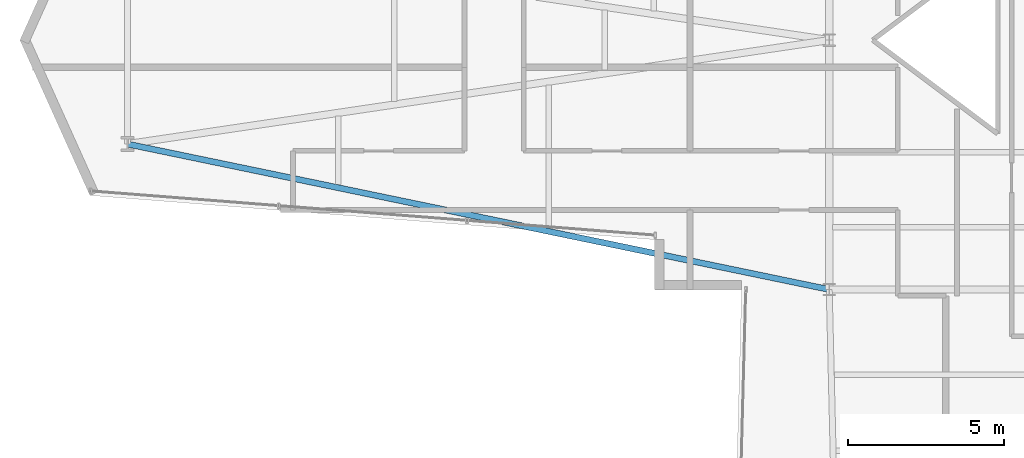
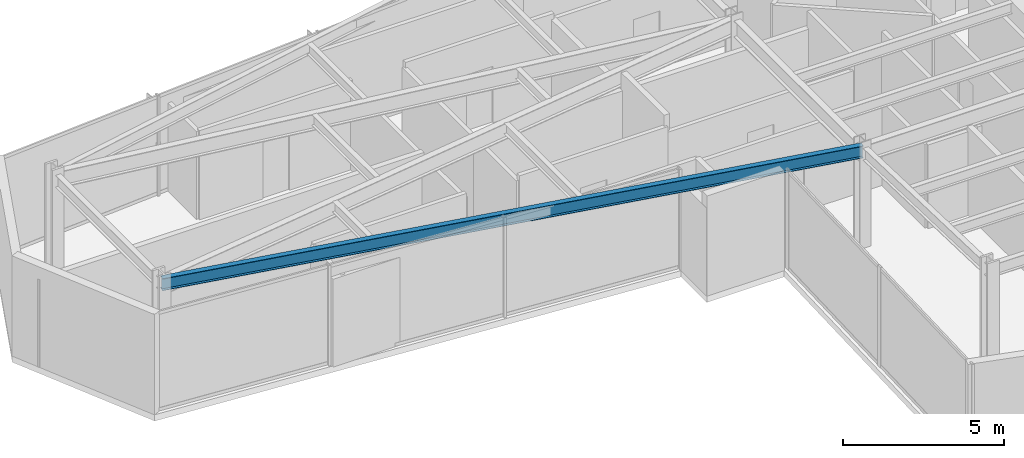
# One storey, part 5 of 30: 1 beam.
"""IFC4 building model written with IfcOpenShell, lengths in metres."""

from ifc_helpers import new_model, si_unit, direction, frame, origin, origin_2d, place, context, subcontext, project, spatial, i_section, extrude, material, material_profile, profile_set, type_object, element, save


model = new_model("IFC4")

# Units and contexts
model_context = context("Model", 3, precision=1e-05, world=origin(), true_north=direction((0.0, 1.0)))
body_context = subcontext(model_context, "Body", "Model", "MODEL_VIEW")
ifc_project = project(units=[si_unit("LENGTHUNIT", "METRE"), si_unit("AREAUNIT", "SQUARE_METRE"), si_unit("VOLUMEUNIT", "CUBIC_METRE"), si_unit("PLANEANGLEUNIT", "RADIAN"), si_unit("MASSUNIT", "GRAM", prefix="KILO")], contexts=[model_context])

# Site, building, storey
site_placement = place(None, origin())
site = spatial("IfcSite", under=ifc_project, at=site_placement, CompositionType="ELEMENT")
building_placement = place(site_placement, origin())
building = spatial("IfcBuilding", under=site, at=building_placement, Name="Veymaron Broadcast Tower", CompositionType="ELEMENT")
storey_placement = place(building_placement, frame((0.0, 0.0, 66.14990234375)))
storey = spatial("IfcBuildingStorey", under=building, at=storey_placement, Name="L14", CompositionType="ELEMENT", Elevation=66.14990234375)

# Beam
ifc_material = material(Name="Structural steel ASTM A992 Gr 50", Category="steel")
ifc_material_profile = material_profile(ifc_material, i_section(OverallWidth=0.19091796875, OverallDepth=0.4599609375, WebThickness=0.010009765625, FlangeThickness=0.01611328125, at=origin_2d()), Name="W460X82")
ifc_profile_set = profile_set([ifc_material_profile], Name="Structural steel ASTM A992 Gr 50")
beam_type = type_object("IfcBeamType", Name="BM-SP1", PredefinedType="SPANDREL", material=ifc_profile_set)
beam_placement = place(storey_placement, frame((8.697021484375, 20.6650390625, 3.580078125), z_axis=(0.979180395187, -0.202992003984, 0.0), x_axis=(0.202992003984, 0.979180395187, 0.0)))
element("IfcBeam", 1, at=beam_placement, inside=storey, type_object=beam_type, Name="L14 primary structural floor girder", PredefinedType="SPANDREL", context=body_context, shape_type="SweptSolid", body=[
    extrude(i_section(OverallWidth=0.19091796875, OverallDepth=0.4599609375, WebThickness=0.010009765625, FlangeThickness=0.01611328125, at=origin_2d()), origin(), (0.0, 0.0, 1.0), 22.9814453125),
])

save(model, "model.ifc")
